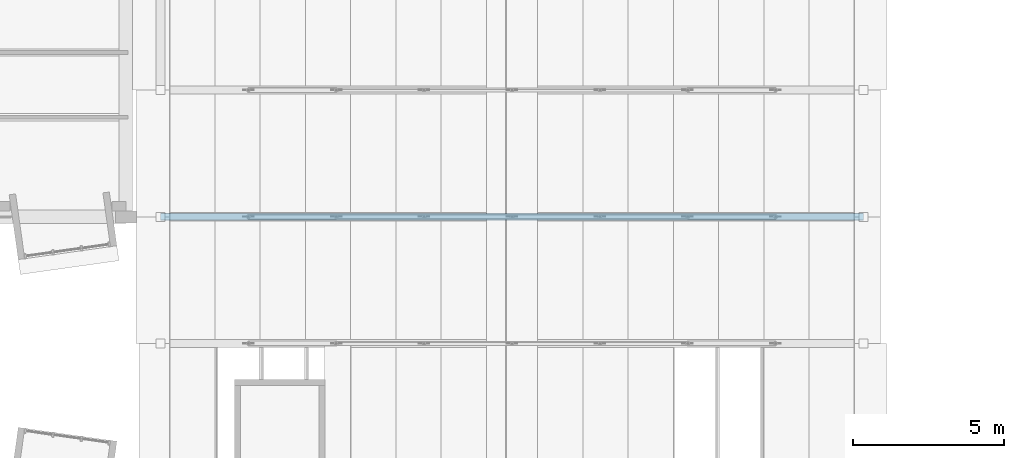
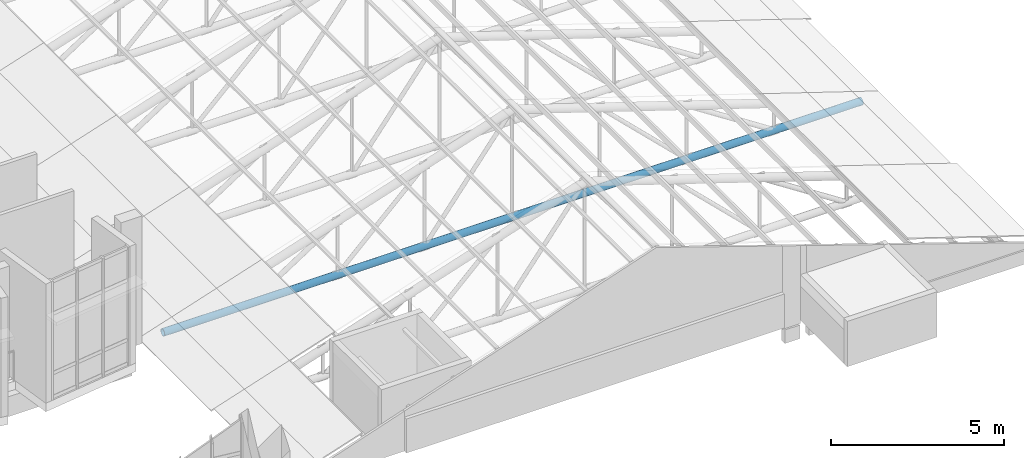
# One storey, part 14 of 95: 1 member.
"""IFC4 building model written with IfcOpenShell, lengths in metres."""

import ifcopenshell
import ifcopenshell.guid

model = None  # the IFC model being written
_history = None  # IfcOwnerHistory: only IFC2X3 demands one
_inside = {}  # id of a spatial element -> (the spatial element, [elements in it])
_under = {}  # id of a project, library or spatial element -> (it, [spatial elements below it])
_declared = {}  # id of a project -> (the project, [libraries it declares])
_typed = {}  # id of a type object -> (the type object, [elements of that type])
_made_of = {}  # id of a material, layer set ... -> (it, [elements and type objects made of it])


def new_model(schema):
    """Start an empty IFC model of exactly this schema.

    Asked for "IFC4X3", IfcOpenShell would pick the latest addendum, in which some entities
    have other attributes; the version numbers below select the first issue.
    IFC2X3 requires an IfcOwnerHistory on every rooted entity: one is made here for all.
    """
    global model, _history
    if schema == "IFC4X3":
        model = ifcopenshell.file(schema_version=(4, 3, 0, 0))
    else:
        model = ifcopenshell.file(schema=schema)
    _inside.clear()
    _under.clear()
    _declared.clear()
    _typed.clear()
    _made_of.clear()
    _history = None
    if model.schema == "IFC2X3":
        org = make("IfcOrganization", Name="unknown")
        user = make(
            "IfcPersonAndOrganization",
            ThePerson=make("IfcPerson", FamilyName="unknown"),
            TheOrganization=org,
        )
        app = make(
            "IfcApplication",
            ApplicationDeveloper=org,
            Version="unknown",
            ApplicationFullName="unknown",
            ApplicationIdentifier="unknown",
        )
        _history = make(
            "IfcOwnerHistory",
            OwningUser=user,
            OwningApplication=app,
            ChangeAction="ADDED",
            CreationDate=0,
        )
    return model


def make(cls, **values):
    """One entity of the class cls with the attributes given. An attribute that is None is left unset."""
    return model.create_entity(
        cls, **{name: value for name, value in values.items() if value is not None}
    )


def rooted(cls, **values):
    """An entity with a GlobalId (a new one), such as an element, a storey or a relation."""
    return make(cls, GlobalId=ifcopenshell.guid.new(), OwnerHistory=_history, **values)


def si_unit(unit_type, name, prefix=None):
    """IfcSIUnit, for example si_unit("LENGTHUNIT", "METRE", prefix="MILLI")."""
    return make("IfcSIUnit", UnitType=unit_type, Prefix=prefix, Name=name)


def assignment(units):
    """IfcUnitAssignment: the units of a project."""
    return None if units is None else make("IfcUnitAssignment", Units=units)


def point(xyz):
    """IfcCartesianPoint."""
    return None if xyz is None else make("IfcCartesianPoint", Coordinates=xyz)


def direction(xyz):
    """IfcDirection."""
    return None if xyz is None else make("IfcDirection", DirectionRatios=xyz)


def frame(location, z_axis=None, x_axis=None):
    """IfcAxis2Placement3D, a coordinate frame: its origin and axes. An axis left out is left unset."""
    return make(
        "IfcAxis2Placement3D",
        Location=point(location),
        Axis=direction(z_axis),
        RefDirection=direction(x_axis),
    )


def frame_2d(location, x_axis=None):
    """IfcAxis2Placement2D, a coordinate frame in the plane: its origin and x axis."""
    return make(
        "IfcAxis2Placement2D", Location=point(location), RefDirection=direction(x_axis)
    )


def origin():
    """The frame at (0, 0, 0) with its axes left unset."""
    return frame((0.0, 0.0, 0.0))


def origin_2d():
    """The frame at (0, 0) in the plane with its x axis left unset."""
    return frame_2d((0.0, 0.0))


def place(relative_to, where):
    """IfcLocalPlacement: puts the frame where relative to a parent placement (None: the world)."""
    return make(
        "IfcLocalPlacement", PlacementRelTo=relative_to, RelativePlacement=where
    )


def context(
    kind, dimensions, precision=None, world=None, true_north=None, identifier=None
):
    """IfcGeometricRepresentationContext, for example the 3D "Model" context."""
    return make(
        "IfcGeometricRepresentationContext",
        ContextIdentifier=identifier,
        ContextType=kind,
        CoordinateSpaceDimension=dimensions,
        Precision=precision,
        WorldCoordinateSystem=world,
        TrueNorth=true_north,
    )


def subcontext(parent, identifier, kind, view, scale=None):
    """IfcGeometricRepresentationSubContext, for example "Body" below "Model"."""
    return make(
        "IfcGeometricRepresentationSubContext",
        ContextIdentifier=identifier,
        ContextType=kind,
        ParentContext=parent,
        TargetScale=scale,
        TargetView=view,
    )


def project(units=None, contexts=None):
    """IfcProject with its units and contexts."""
    return rooted(
        "IfcProject",
        Name="project",
        RepresentationContexts=contexts,
        UnitsInContext=assignment(units),
    )


def spatial(cls, under=None, at=None, **own):
    """A site, building, storey or space (cls), placed at a placement, below another one or the project."""
    s = rooted(cls, ObjectPlacement=at, **own)
    if under is not None:
        _under.setdefault(under.id(), (under, []))[1].append(s)
    return s


def profile(cls, at=None, kind="AREA", **sizes):
    """A parametric profile (cls). Its sizes go by their IFC names, for example OverallWidth=200.0."""
    return make(cls, ProfileType=kind, Position=at, **sizes)


def hollow_circle(**sizes):
    """IfcCircleHollowProfileDef."""
    return profile("IfcCircleHollowProfileDef", **sizes)


def extrude(swept, where, along, depth):
    """IfcExtrudedAreaSolid: the profile swept, set in the frame where, extruded along a direction by depth."""
    return make(
        "IfcExtrudedAreaSolid",
        SweptArea=swept,
        Position=where,
        ExtrudedDirection=direction(along),
        Depth=depth,
    )


def shape(context_of_items, identifier, shape_type, items):
    """IfcShapeRepresentation: the items that make up one representation, for example the "Body"."""
    return make(
        "IfcShapeRepresentation",
        ContextOfItems=context_of_items,
        RepresentationIdentifier=identifier,
        RepresentationType=shape_type,
        Items=items,
    )


def material(Name=None, Category=None):
    """IfcMaterial."""
    return make("IfcMaterial", Name=Name, Category=Category)


def material_profile(
    of_material, cross_section, Name=None, Category=None, Priority=None
):
    """IfcMaterialProfile: a cross section and its material."""
    return make(
        "IfcMaterialProfile",
        Name=Name,
        Material=of_material,
        Profile=cross_section,
        Priority=Priority,
        Category=Category,
    )


def profile_set(profiles, Name=None, composite=None):
    """IfcMaterialProfileSet."""
    return make(
        "IfcMaterialProfileSet",
        Name=Name,
        MaterialProfiles=profiles,
        CompositeProfile=composite,
    )


def made_of(thing, what):
    """Note that an element or type object is made of a material, layer set ...; save() writes the relation."""
    if what is not None:
        _made_of.setdefault(what.id(), (what, []))[1].append(thing)
    return thing


def type_object(cls, material=None, **own):
    """A type object (cls), such as IfcWallType, which elements share."""
    return made_of(rooted(cls, **own), material)


def element(
    cls,
    number,
    at=None,
    inside=None,
    cuts=None,
    type_object=None,
    material=None,
    context=None,
    identifier="Body",
    shape_type=None,
    held_by="IfcProductDefinitionShape",
    body=None,
    shapes=None,
    **own,
):
    """One element of the class cls, such as IfcWall. Its Tag is "e" and its number.

    at: its placement. inside: the storey or other place that contains it. cuts: it is an
    opening in that element (IfcRelVoidsElement). A single representation is given by context,
    identifier, shape_type and body (its items); several are given by shapes. held_by: the class
    of the entity that holds the representations. save() writes the other relations.
    """
    e = rooted(cls, Tag="e%d" % number, ObjectPlacement=at, **own)
    if body is not None:
        shapes = [shape(context, identifier, shape_type, body)]
    if shapes is not None:
        e.Representation = make(held_by, Representations=shapes)
    if inside is not None:
        _inside.setdefault(inside.id(), (inside, []))[1].append(e)
    if cuts is not None:
        rooted(
            "IfcRelVoidsElement", RelatingBuildingElement=cuts, RelatedOpeningElement=e
        )
    if type_object is not None:
        _typed.setdefault(type_object.id(), (type_object, []))[1].append(e)
    return made_of(e, material)


def aggregate(whole, parts):
    """IfcRelAggregates: a whole, such as a stair, and the parts it consists of."""
    return rooted("IfcRelAggregates", RelatingObject=whole, RelatedObjects=parts)


def save(model, path):
    """Write the relations noted so far, then the file.

    IfcRelAggregates (storeys below a building ...), IfcRelContainedInSpatialStructure (elements
    in a storey), IfcRelDefinesByType, IfcRelAssociatesMaterial and IfcRelDeclares: one each for
    every whole, place, type object, material and project.
    """
    for whole, parts in _under.values():
        aggregate(whole, parts)
    for where, things in _inside.values():
        rooted(
            "IfcRelContainedInSpatialStructure",
            RelatedElements=things,
            RelatingStructure=where,
        )
    for kind, things in _typed.values():
        rooted("IfcRelDefinesByType", RelatedObjects=things, RelatingType=kind)
    for what, things in _made_of.values():
        rooted("IfcRelAssociatesMaterial", RelatedObjects=things, RelatingMaterial=what)
    for by, libraries in _declared.values():
        rooted("IfcRelDeclares", RelatingContext=by, RelatedDefinitions=libraries)
    model.write(path)


model = new_model("IFC4")

# Units and contexts
model_context = context("Model", 3, precision=1e-05, world=origin(), true_north=direction((0.0, 1.0)))
body_context = subcontext(model_context, "Body", "Model", "MODEL_VIEW")
ifc_project = project(units=[si_unit("LENGTHUNIT", "METRE"), si_unit("AREAUNIT", "SQUARE_METRE"), si_unit("VOLUMEUNIT", "CUBIC_METRE"), si_unit("PLANEANGLEUNIT", "RADIAN"), si_unit("MASSUNIT", "GRAM", prefix="KILO")], contexts=[model_context])

# Site, building, storey
site_placement = place(None, origin())
site = spatial("IfcSite", under=ifc_project, at=site_placement, CompositionType="ELEMENT")
building_placement = place(site_placement, origin())
building = spatial("IfcBuilding", under=site, at=building_placement, Name="Kiln Court Media Centre", CompositionType="ELEMENT")
storey_placement = place(building_placement, frame((0.0, 0.0, 24.60009765625)))
storey = spatial("IfcBuildingStorey", under=building, at=storey_placement, Name="L05", CompositionType="ELEMENT", Elevation=24.60009765625)

# Member
ifc_material = material(Name="Steel ASTM A500 Gr C", Category="steel")
ifc_material_profile = material_profile(ifc_material, hollow_circle(Radius=0.122314453125, WallThickness=0.010009765625, at=origin_2d()), Name="CHS 244.5x10.0")
ifc_profile_set = profile_set([ifc_material_profile], Name="Steel ASTM A500 Gr C")
member_type = type_object("IfcMemberType", Name="Steel ASTM A500 Gr C CHS 244.5x10.0 truss chord", PredefinedType="CHORD", material=ifc_profile_set)
member_placement = place(storey_placement, frame((34.75, 33.60009765625, -0.013916015625), z_axis=(1.0, 0.0, 0.0), x_axis=(0.0, 1.0, 0.0)))
element("IfcMember", 1, at=member_placement, inside=storey, type_object=member_type, Name="foyer truss FT-03 bottom chord truss chord", PredefinedType="CHORD", context=body_context, shape_type="SweptSolid", body=[
    extrude(hollow_circle(Radius=0.122314453125, WallThickness=0.010009765625, at=origin_2d()), origin(), (0.0, 0.0, 1.0), 23.300048828125),
])

save(model, "model.ifc")
